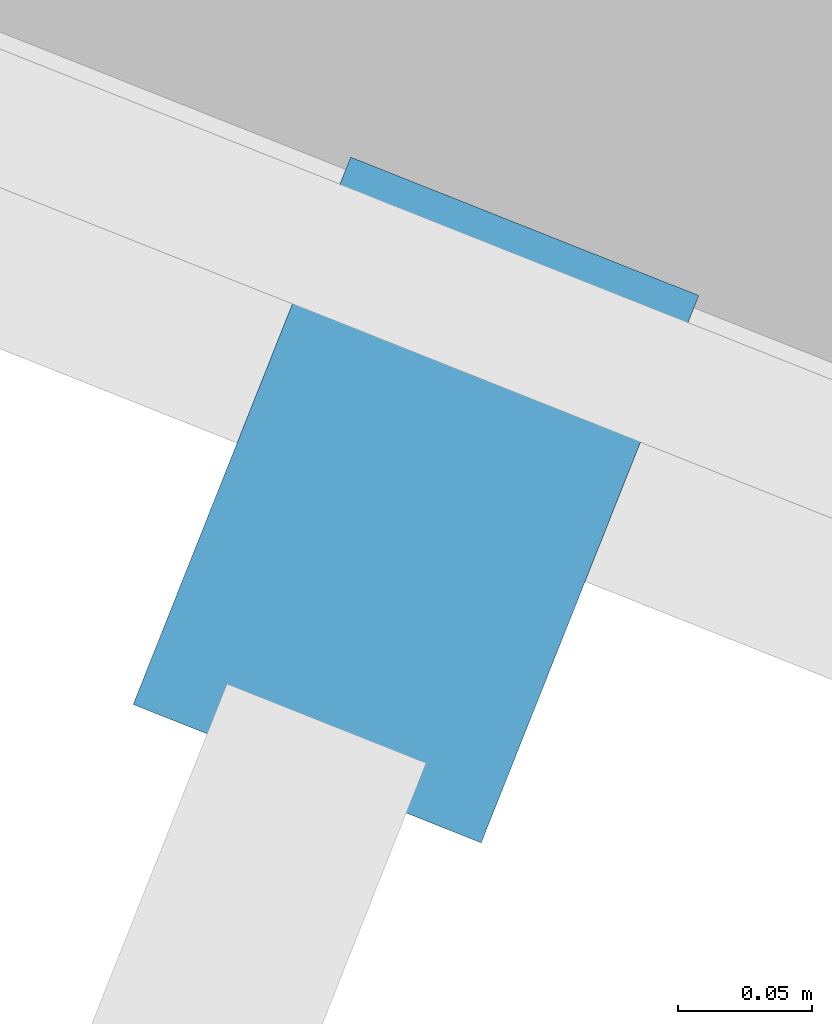
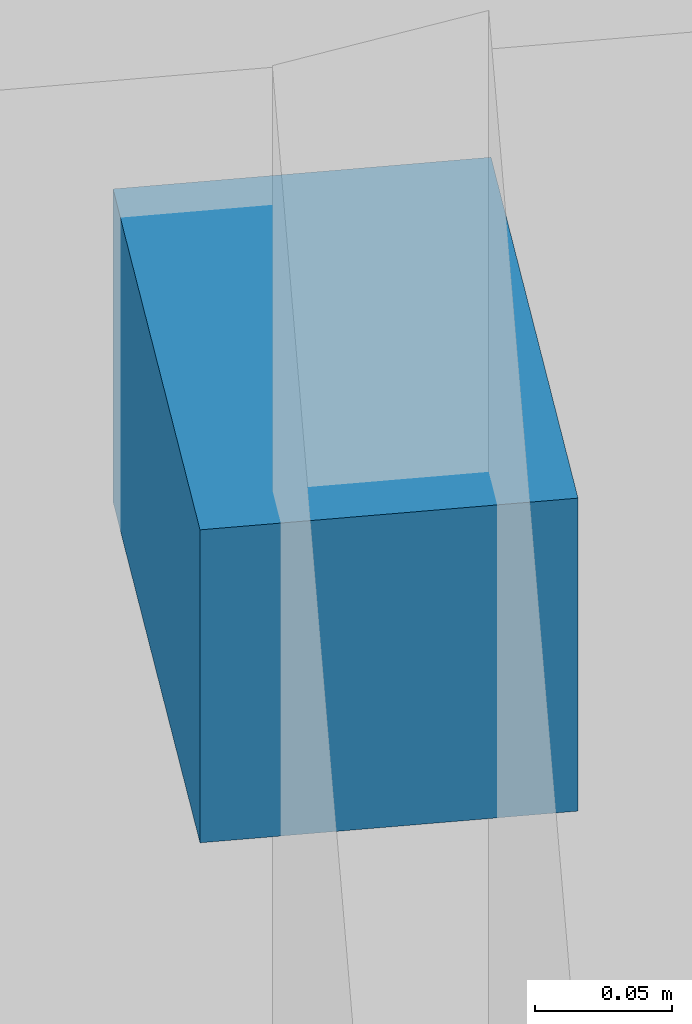
# One storey, part 161 of 193: 1 discrete accessory.
"""IFC4 building model written with IfcOpenShell, lengths in metres."""

from ifc_helpers import new_model, si_unit, direction, frame, origin, origin_2d, place, context, subcontext, project, spatial, rectangle, extrude, material, type_object, element, save


model = new_model("IFC4")

# Units and contexts
model_context = context("Model", 3, precision=1e-05, world=origin(), true_north=direction((0.0, 1.0)))
body_context = subcontext(model_context, "Body", "Model", "MODEL_VIEW")
ifc_project = project(units=[si_unit("LENGTHUNIT", "METRE"), si_unit("AREAUNIT", "SQUARE_METRE"), si_unit("VOLUMEUNIT", "CUBIC_METRE"), si_unit("PLANEANGLEUNIT", "RADIAN"), si_unit("MASSUNIT", "GRAM", prefix="KILO")], contexts=[model_context])

# Site, building, storey
site_placement = place(None, origin())
site = spatial("IfcSite", under=ifc_project, at=site_placement, CompositionType="ELEMENT")
building_placement = place(site_placement, origin())
building = spatial("IfcBuilding", under=site, at=building_placement, Name="Cendralis Lancet Convention Centre", CompositionType="ELEMENT")
storey_placement = place(building_placement, frame((0.0, 0.0, 10.199951171875)))
storey = spatial("IfcBuildingStorey", under=building, at=storey_placement, Name="L02", CompositionType="ELEMENT", Elevation=10.199951171875)

# Discrete accessory
ifc_material = material(Name="Steel S355", Category="steel")
discrete_accessory_type = type_object("IfcDiscreteAccessoryType", Name="ARC-BRK-FIN", PredefinedType="BRACKET", material=ifc_material)
discrete_accessory_placement = place(storey_placement, frame((203.781005859375, 2.497802734375, 1.93017578125), z_axis=(0.0, 0.0, 1.0), x_axis=(0.929287369176, -0.369357530706, 0.0)))
element("IfcDiscreteAccessory", 1, at=discrete_accessory_placement, inside=storey, type_object=discrete_accessory_type, Name="Facade Fin Bracket BK-FIN #036", PredefinedType="BRACKET", context=body_context, shape_type="SweptSolid", body=[
    extrude(rectangle(XDim=0.139892578125, YDim=0.219970703125, at=origin_2d()), origin(), (0.0, 0.0, 1.0), 0.139892578125),
])

save(model, "model.ifc")
